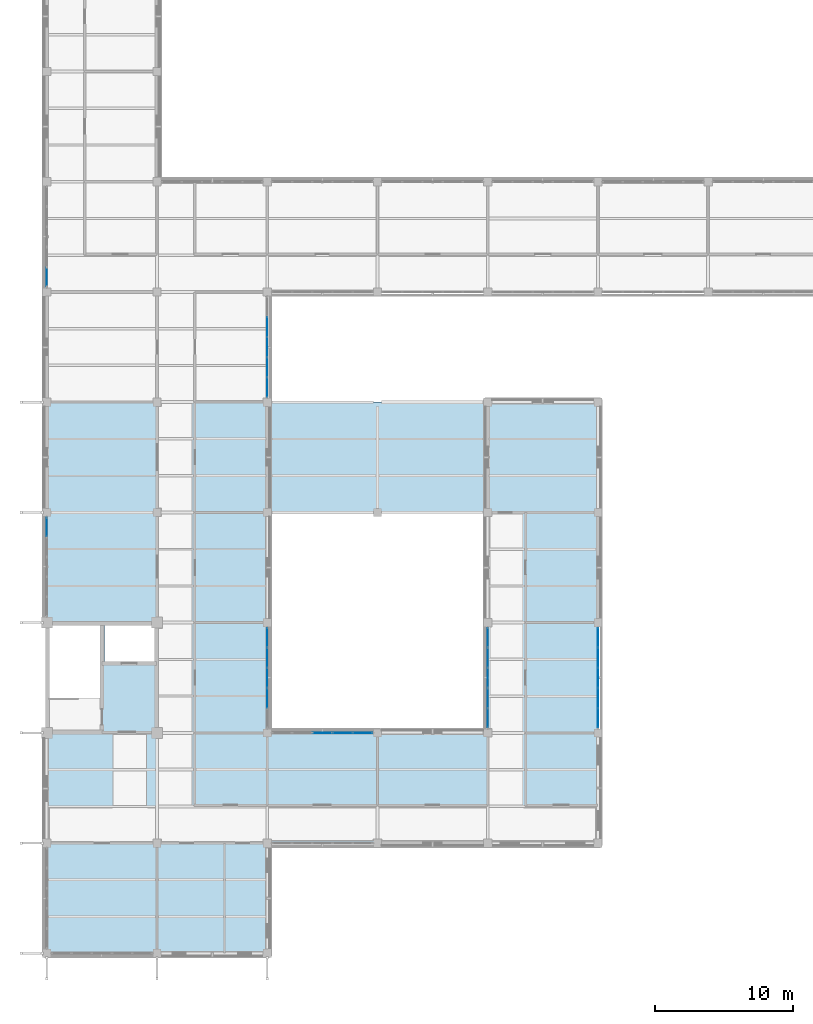
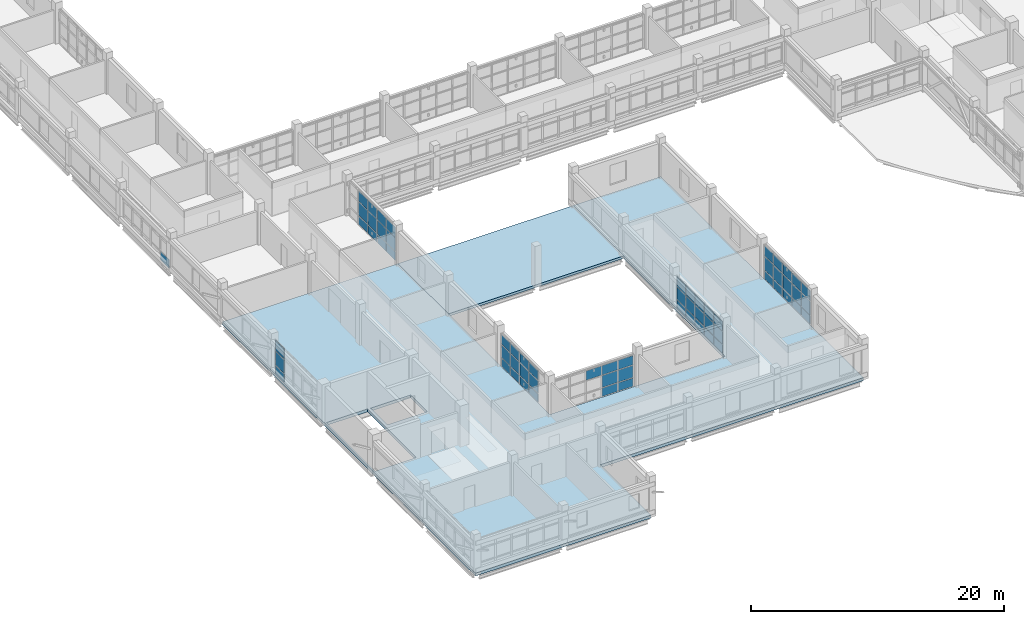
# One storey, part 66 of 126: 65 plates, 2 slabs, 7 elements without a shape of their own.
"""IFC4 building model written with IfcOpenShell, lengths in metres."""

from ifc_helpers import new_model, si_unit, derived_unit, direction, frame, origin, origin_2d, place, context, subcontext, project, spatial, polyline, rectangle, outline, extrude, material, layer, layer_set, type_object, element, aggregate, save


model = new_model("IFC4")

# Units and contexts
model_context = context("Model", 3, precision=1e-05, world=origin(), true_north=direction((0.0, 1.0)))
body_context = subcontext(model_context, "Body", "Model", "MODEL_VIEW")
ifc_project = project(units=[si_unit("LENGTHUNIT", "METRE"), si_unit("AREAUNIT", "SQUARE_METRE"), si_unit("VOLUMEUNIT", "CUBIC_METRE"), si_unit("PLANEANGLEUNIT", "RADIAN"), si_unit("MASSUNIT", "GRAM", prefix="KILO"), derived_unit("THERMALTRANSMITTANCEUNIT", [(si_unit("MASSUNIT", "GRAM", prefix="KILO"), 1), (si_unit("TIMEUNIT", "SECOND"), -3), (si_unit("THERMODYNAMICTEMPERATUREUNIT", "KELVIN"), -1)])], contexts=[model_context])

# Site, building, storey
site_placement = place(None, origin())
site = spatial("IfcSite", under=ifc_project, at=site_placement, CompositionType="ELEMENT")
building_placement = place(site_placement, origin())
building = spatial("IfcBuilding", under=site, at=building_placement, Name="Veyamyaing Civic Hall", CompositionType="ELEMENT")
storey_placement = place(building_placement, frame((0.0, 0.0, 9.89990234375)))
storey = spatial("IfcBuildingStorey", under=building, at=storey_placement, Name="L02", CompositionType="ELEMENT", Elevation=9.89990234375)

# Curtain wall, plates
ifc_material_1 = material(Name="Anodised aluminium 6063-T6", Category="aluminium")
ifc_layer_1 = layer(ifc_material_1, 0.159912109375, Name="Anodised aluminium 6063-T6")
ifc_layer_set_1 = layer_set([ifc_layer_1], Name="Anodised aluminium 6063-T6")
curtain_wall_type_1 = type_object("IfcCurtainWallType", Name="CW-03", PredefinedType="NOTDEFINED", material=ifc_layer_set_1)
curtain_wall_1_placement = place(storey_placement, origin())
curtain_wall_1 = element("IfcCurtainWall", 1, at=curtain_wall_1_placement, inside=storey, type_object=curtain_wall_type_1, Name="Unitized curtain wall CW-03 L02 W 1.4", PredefinedType="NOTDEFINED")
ifc_material_2 = material(Name="Low-E insulated glass", Category="glass")
ifc_layer_2 = layer(ifc_material_2, 0.028076171875, Name="Low-E insulated glass")
ifc_layer_set_2 = layer_set([ifc_layer_2], Name="Low-E insulated glass")
plate_type_1 = type_object("IfcPlateType", Name="CWP-01", PredefinedType="CURTAIN_PANEL", material=ifc_layer_set_2)
plate_1_placement = place(storey_placement, frame((0.0, 30.9296875, 0.06494140625), z_axis=(0.0, 0.0, 1.0), x_axis=(0.0, 1.0, 0.0)))
plate_1 = element("IfcPlate", 2, at=plate_1_placement, type_object=plate_type_1, Name="CW-03 panel 5.1", PredefinedType="CURTAIN_PANEL", context=body_context, shape_type="SweptSolid", body=[
    extrude(rectangle(XDim=1.3505859375, YDim=0.028076171875, at=origin_2d()), origin(), (0.0, 0.0, 1.0), 0.802490234375),
])
plate_2_placement = place(storey_placement, frame((0.0, 30.9296875, 0.9326171875), z_axis=(0.0, 0.0, 1.0), x_axis=(0.0, 1.0, 0.0)))
plate_2 = element("IfcPlate", 3, at=plate_2_placement, type_object=plate_type_1, Name="CW-03 panel 5.2", PredefinedType="CURTAIN_PANEL", context=body_context, shape_type="SweptSolid", body=[
    extrude(rectangle(XDim=1.3505859375, YDim=0.028076171875, at=origin_2d()), origin(), (0.0, 0.0, 1.0), 1.319091796875),
])
plate_3_placement = place(storey_placement, frame((0.0, 30.9296875, 2.31689453125), z_axis=(0.0, 0.0, 1.0), x_axis=(0.0, 1.0, 0.0)))
plate_3 = element("IfcPlate", 4, at=plate_3_placement, type_object=plate_type_1, Name="CW-03 panel 5.3", PredefinedType="CURTAIN_PANEL", context=body_context, shape_type="SweptSolid", body=[
    extrude(rectangle(XDim=1.3505859375, YDim=0.028076171875, at=origin_2d()), origin(), (0.0, 0.0, 1.0), 0.977294921875),
])
aggregate(curtain_wall_1, [plate_1, plate_2, plate_3])

curtain_wall_2_placement = place(storey_placement, origin())
curtain_wall_2 = element("IfcCurtainWall", 5, at=curtain_wall_2_placement, inside=storey, type_object=curtain_wall_type_1, Name="Unitized curtain wall CW-03 L02 E 2.3", PredefinedType="NOTDEFINED")
plate_4_placement = place(storey_placement, frame((16.0, 18.531982421875, 0.06494140625), z_axis=(0.0, 0.0, 1.0), x_axis=(0.0, 1.0, 0.0)))
plate_4 = element("IfcPlate", 6, at=plate_4_placement, type_object=plate_type_1, Name="CW-03 panel 2.1", PredefinedType="CURTAIN_PANEL", context=body_context, shape_type="SweptSolid", body=[
    extrude(rectangle(XDim=1.403076171875, YDim=0.028076171875, at=origin_2d()), origin(), (0.0, 0.0, 1.0), 0.802490234375),
])
plate_5_placement = place(storey_placement, frame((16.0, 18.531982421875, 0.9326171875), z_axis=(0.0, 0.0, 1.0), x_axis=(0.0, 1.0, 0.0)))
plate_5 = element("IfcPlate", 7, at=plate_5_placement, type_object=plate_type_1, Name="CW-03 panel 2.2", PredefinedType="CURTAIN_PANEL", context=body_context, shape_type="SweptSolid", body=[
    extrude(rectangle(XDim=1.403076171875, YDim=0.028076171875, at=origin_2d()), origin(), (0.0, 0.0, 1.0), 1.19677734375),
])
plate_6_placement = place(storey_placement, frame((16.0, 18.531982421875, 2.1943359375), z_axis=(0.0, 0.0, 1.0), x_axis=(0.0, 1.0, 0.0)))
plate_6 = element("IfcPlate", 8, at=plate_6_placement, type_object=plate_type_1, Name="CW-03 panel 2.3", PredefinedType="CURTAIN_PANEL", context=body_context, shape_type="SweptSolid", body=[
    extrude(rectangle(XDim=1.403076171875, YDim=0.028076171875, at=origin_2d()), origin(), (0.0, 0.0, 1.0), 0.919921875),
])
plate_7_placement = place(storey_placement, frame((16.0, 20.0, 0.06494140625), z_axis=(0.0, 0.0, 1.0), x_axis=(0.0, 1.0, 0.0)))
plate_7 = element("IfcPlate", 9, at=plate_7_placement, type_object=plate_type_1, Name="CW-03 panel 3.1", PredefinedType="CURTAIN_PANEL", context=body_context, shape_type="SweptSolid", body=[
    extrude(rectangle(XDim=1.403076171875, YDim=0.028076171875, at=origin_2d()), origin(), (0.0, 0.0, 1.0), 0.802490234375),
])
plate_8_placement = place(storey_placement, frame((16.0, 20.0, 0.9326171875), z_axis=(0.0, 0.0, 1.0), x_axis=(0.0, 1.0, 0.0)))
plate_8 = element("IfcPlate", 10, at=plate_8_placement, type_object=plate_type_1, Name="CW-03 panel 3.2", PredefinedType="CURTAIN_PANEL", context=body_context, shape_type="SweptSolid", body=[
    extrude(rectangle(XDim=1.403076171875, YDim=0.028076171875, at=origin_2d()), origin(), (0.0, 0.0, 1.0), 1.19677734375),
])
plate_9_placement = place(storey_placement, frame((16.0, 20.0, 2.1943359375), z_axis=(0.0, 0.0, 1.0), x_axis=(0.0, 1.0, 0.0)))
plate_9 = element("IfcPlate", 11, at=plate_9_placement, type_object=plate_type_1, Name="CW-03 panel 3.3", PredefinedType="CURTAIN_PANEL", context=body_context, shape_type="SweptSolid", body=[
    extrude(rectangle(XDim=1.403076171875, YDim=0.028076171875, at=origin_2d()), origin(), (0.0, 0.0, 1.0), 0.919921875),
])
plate_10_placement = place(storey_placement, frame((16.0, 21.468017578125, 0.06494140625), z_axis=(0.0, 0.0, 1.0), x_axis=(0.0, 1.0, 0.0)))
plate_10 = element("IfcPlate", 12, at=plate_10_placement, type_object=plate_type_1, Name="CW-03 panel 4.1", PredefinedType="CURTAIN_PANEL", context=body_context, shape_type="SweptSolid", body=[
    extrude(rectangle(XDim=1.403076171875, YDim=0.028076171875, at=origin_2d()), origin(), (0.0, 0.0, 1.0), 0.802490234375),
])
plate_11_placement = place(storey_placement, frame((16.0, 21.468017578125, 0.9326171875), z_axis=(0.0, 0.0, 1.0), x_axis=(0.0, 1.0, 0.0)))
plate_11 = element("IfcPlate", 13, at=plate_11_placement, type_object=plate_type_1, Name="CW-03 panel 4.2", PredefinedType="CURTAIN_PANEL", context=body_context, shape_type="SweptSolid", body=[
    extrude(rectangle(XDim=1.403076171875, YDim=0.028076171875, at=origin_2d()), origin(), (0.0, 0.0, 1.0), 1.19677734375),
])
plate_12_placement = place(storey_placement, frame((16.0, 21.468017578125, 2.1943359375), z_axis=(0.0, 0.0, 1.0), x_axis=(0.0, 1.0, 0.0)))
plate_12 = element("IfcPlate", 14, at=plate_12_placement, type_object=plate_type_1, Name="CW-03 panel 4.3", PredefinedType="CURTAIN_PANEL", context=body_context, shape_type="SweptSolid", body=[
    extrude(rectangle(XDim=1.403076171875, YDim=0.028076171875, at=origin_2d()), origin(), (0.0, 0.0, 1.0), 0.919921875),
])
plate_13_placement = place(storey_placement, frame((16.0, 22.919677734375, 0.06494140625), z_axis=(0.0, 0.0, 1.0), x_axis=(0.0, 1.0, 0.0)))
plate_13 = element("IfcPlate", 15, at=plate_13_placement, type_object=plate_type_1, Name="CW-03 panel 5.1", PredefinedType="CURTAIN_PANEL", context=body_context, shape_type="SweptSolid", body=[
    extrude(rectangle(XDim=1.37060546875, YDim=0.028076171875, at=origin_2d()), origin(), (0.0, 0.0, 1.0), 0.802490234375),
])
plate_14_placement = place(storey_placement, frame((16.0, 22.919677734375, 0.9326171875), z_axis=(0.0, 0.0, 1.0), x_axis=(0.0, 1.0, 0.0)))
plate_14 = element("IfcPlate", 16, at=plate_14_placement, type_object=plate_type_1, Name="CW-03 panel 5.2", PredefinedType="CURTAIN_PANEL", context=body_context, shape_type="SweptSolid", body=[
    extrude(rectangle(XDim=1.37060546875, YDim=0.028076171875, at=origin_2d()), origin(), (0.0, 0.0, 1.0), 1.19677734375),
])
plate_15_placement = place(storey_placement, frame((16.0, 22.919677734375, 2.1943359375), z_axis=(0.0, 0.0, 1.0), x_axis=(0.0, 1.0, 0.0)))
plate_15 = element("IfcPlate", 17, at=plate_15_placement, type_object=plate_type_1, Name="CW-03 panel 5.3", PredefinedType="CURTAIN_PANEL", context=body_context, shape_type="SweptSolid", body=[
    extrude(rectangle(XDim=1.37060546875, YDim=0.028076171875, at=origin_2d()), origin(), (0.0, 0.0, 1.0), 0.919921875),
])
aggregate(curtain_wall_2, [plate_4, plate_5, plate_6, plate_7, plate_8, plate_9, plate_10, plate_11, plate_12, plate_13, plate_14, plate_15])

curtain_wall_3_placement = place(storey_placement, origin())
curtain_wall_3 = element("IfcCurtainWall", 18, at=curtain_wall_3_placement, inside=storey, type_object=curtain_wall_type_1, Name="Unitized curtain wall CW-03 L02 N 3.2", PredefinedType="NOTDEFINED")
plate_16_placement = place(storey_placement, frame((20.0, 16.0, 2.1435546875), z_axis=(0.0, 0.0, 1.0), x_axis=(1.0, 0.0, 0.0)))
plate_16 = element("IfcPlate", 19, at=plate_16_placement, type_object=plate_type_1, Name="CW-03 panel 3.3", PredefinedType="CURTAIN_PANEL", context=body_context, shape_type="SweptSolid", body=[
    extrude(rectangle(XDim=1.403076171875, YDim=0.028076171875, at=origin_2d()), origin(), (0.0, 0.0, 1.0), 0.895751953125),
])
plate_17_placement = place(storey_placement, frame((21.468017578125, 16.0, 0.06494140625), z_axis=(0.0, 0.0, 1.0), x_axis=(1.0, 0.0, 0.0)))
plate_17 = element("IfcPlate", 20, at=plate_17_placement, type_object=plate_type_1, Name="CW-03 panel 4.1", PredefinedType="CURTAIN_PANEL", context=body_context, shape_type="SweptSolid", body=[
    extrude(rectangle(XDim=1.403076171875, YDim=0.028076171875, at=origin_2d()), origin(), (0.0, 0.0, 1.0), 0.802490234375),
])
plate_18_placement = place(storey_placement, frame((21.468017578125, 16.0, 0.9326171875), z_axis=(0.0, 0.0, 1.0), x_axis=(1.0, 0.0, 0.0)))
plate_18 = element("IfcPlate", 21, at=plate_18_placement, type_object=plate_type_1, Name="CW-03 panel 4.2", PredefinedType="CURTAIN_PANEL", context=body_context, shape_type="SweptSolid", body=[
    extrude(rectangle(XDim=1.403076171875, YDim=0.028076171875, at=origin_2d()), origin(), (0.0, 0.0, 1.0), 1.145751953125),
])
plate_19_placement = place(storey_placement, frame((21.468017578125, 16.0, 2.1435546875), z_axis=(0.0, 0.0, 1.0), x_axis=(1.0, 0.0, 0.0)))
plate_19 = element("IfcPlate", 22, at=plate_19_placement, type_object=plate_type_1, Name="CW-03 panel 4.3", PredefinedType="CURTAIN_PANEL", context=body_context, shape_type="SweptSolid", body=[
    extrude(rectangle(XDim=1.403076171875, YDim=0.028076171875, at=origin_2d()), origin(), (0.0, 0.0, 1.0), 0.895751953125),
])
plate_20_placement = place(storey_placement, frame((22.919677734375, 16.0, 0.06494140625), z_axis=(0.0, 0.0, 1.0), x_axis=(1.0, 0.0, 0.0)))
plate_20 = element("IfcPlate", 23, at=plate_20_placement, type_object=plate_type_1, Name="CW-03 panel 5.1", PredefinedType="CURTAIN_PANEL", context=body_context, shape_type="SweptSolid", body=[
    extrude(rectangle(XDim=1.37060546875, YDim=0.028076171875, at=origin_2d()), origin(), (0.0, 0.0, 1.0), 0.802490234375),
])
plate_21_placement = place(storey_placement, frame((22.919677734375, 16.0, 0.9326171875), z_axis=(0.0, 0.0, 1.0), x_axis=(1.0, 0.0, 0.0)))
plate_21 = element("IfcPlate", 24, at=plate_21_placement, type_object=plate_type_1, Name="CW-03 panel 5.2", PredefinedType="CURTAIN_PANEL", context=body_context, shape_type="SweptSolid", body=[
    extrude(rectangle(XDim=1.37060546875, YDim=0.028076171875, at=origin_2d()), origin(), (0.0, 0.0, 1.0), 1.145751953125),
])
plate_22_placement = place(storey_placement, frame((22.919677734375, 16.0, 2.1435546875), z_axis=(0.0, 0.0, 1.0), x_axis=(1.0, 0.0, 0.0)))
plate_22 = element("IfcPlate", 25, at=plate_22_placement, type_object=plate_type_1, Name="CW-03 panel 5.3", PredefinedType="CURTAIN_PANEL", context=body_context, shape_type="SweptSolid", body=[
    extrude(rectangle(XDim=1.37060546875, YDim=0.028076171875, at=origin_2d()), origin(), (0.0, 0.0, 1.0), 0.895751953125),
])
aggregate(curtain_wall_3, [plate_16, plate_17, plate_18, plate_19, plate_20, plate_21, plate_22])

# Curtain wall, plate
curtain_wall_4_placement = place(storey_placement, origin())
curtain_wall_4 = element("IfcCurtainWall", 26, at=curtain_wall_4_placement, inside=storey, type_object=curtain_wall_type_1, Name="Unitized curtain wall CW-03 L02 W 1.7", PredefinedType="NOTDEFINED")
ifc_layer_3 = layer(ifc_material_2, 0.02392578125, Name="Low-E insulated glass")
ifc_layer_set_3 = layer_set([ifc_layer_3], Name="Low-E insulated glass")
plate_type_2 = type_object("IfcPlateType", Name="CWP-04", PredefinedType="CURTAIN_PANEL", material=ifc_layer_set_3)
plate_23_placement = place(storey_placement, frame((0.0, 49.080322265625, 0.06494140625), z_axis=(0.0, 0.0, 1.0), x_axis=(0.0, 1.0, 0.0)))
plate_23 = element("IfcPlate", 27, at=plate_23_placement, type_object=plate_type_2, Name="CW-03 panel 1.1", PredefinedType="CURTAIN_PANEL", context=body_context, shape_type="SweptSolid", body=[
    extrude(rectangle(XDim=1.37060546875, YDim=0.02392578125, at=origin_2d()), origin(), (0.0, 0.0, 1.0), 0.802490234375),
])
aggregate(curtain_wall_4, [plate_23])

# Curtain wall, plates
ifc_layer_4 = layer(ifc_material_1, 0.139892578125, Name="Anodised aluminium 6063-T6")
ifc_layer_set_4 = layer_set([ifc_layer_4], Name="Anodised aluminium 6063-T6")
curtain_wall_type_2 = type_object("IfcCurtainWallType", Name="CW-04", PredefinedType="NOTDEFINED", material=ifc_layer_set_4)
curtain_wall_5_placement = place(storey_placement, origin())
curtain_wall_5 = element("IfcCurtainWall", 28, at=curtain_wall_5_placement, inside=storey, type_object=curtain_wall_type_2, Name="Unitized curtain wall CW-04 L02 E 2.6", PredefinedType="NOTDEFINED")
plate_24_placement = place(storey_placement, frame((16.0, 41.0791015625, 0.06005859375), z_axis=(0.0, 0.0, 1.0), x_axis=(0.0, 1.0, 0.0)))
plate_24 = element("IfcPlate", 29, at=plate_24_placement, type_object=plate_type_2, Name="CW-04 panel 1.1", PredefinedType="CURTAIN_PANEL", context=body_context, shape_type="SweptSolid", body=[
    extrude(rectangle(XDim=1.3779296875, YDim=0.02392578125, at=origin_2d()), origin(), (0.0, 0.0, 1.0), 0.81005859375),
])
plate_25_placement = place(storey_placement, frame((16.0, 41.0791015625, 0.93017578125), z_axis=(0.0, 0.0, 1.0), x_axis=(0.0, 1.0, 0.0)))
plate_25 = element("IfcPlate", 30, at=plate_25_placement, type_object=plate_type_2, Name="CW-04 panel 1.2", PredefinedType="CURTAIN_PANEL", context=body_context, shape_type="SweptSolid", body=[
    extrude(rectangle(XDim=1.3779296875, YDim=0.02392578125, at=origin_2d()), origin(), (0.0, 0.0, 1.0), 1.31396484375),
])
plate_26_placement = place(storey_placement, frame((16.0, 41.0791015625, 2.303955078125), z_axis=(0.0, 0.0, 1.0), x_axis=(0.0, 1.0, 0.0)))
plate_26 = element("IfcPlate", 31, at=plate_26_placement, type_object=plate_type_2, Name="CW-04 panel 1.3", PredefinedType="CURTAIN_PANEL", context=body_context, shape_type="SweptSolid", body=[
    extrude(rectangle(XDim=1.3779296875, YDim=0.02392578125, at=origin_2d()), origin(), (0.0, 0.0, 1.0), 0.97998046875),
])
plate_27_placement = place(storey_placement, frame((16.0, 42.531982421875, 0.06005859375), z_axis=(0.0, 0.0, 1.0), x_axis=(0.0, 1.0, 0.0)))
plate_27 = element("IfcPlate", 32, at=plate_27_placement, type_object=plate_type_2, Name="CW-04 panel 2.1", PredefinedType="CURTAIN_PANEL", context=body_context, shape_type="SweptSolid", body=[
    extrude(rectangle(XDim=1.407958984375, YDim=0.02392578125, at=origin_2d()), origin(), (0.0, 0.0, 1.0), 0.81005859375),
])
plate_28_placement = place(storey_placement, frame((16.0, 42.531982421875, 0.93017578125), z_axis=(0.0, 0.0, 1.0), x_axis=(0.0, 1.0, 0.0)))
plate_28 = element("IfcPlate", 33, at=plate_28_placement, type_object=plate_type_2, Name="CW-04 panel 2.2", PredefinedType="CURTAIN_PANEL", context=body_context, shape_type="SweptSolid", body=[
    extrude(rectangle(XDim=1.407958984375, YDim=0.02392578125, at=origin_2d()), origin(), (0.0, 0.0, 1.0), 1.31396484375),
])
plate_29_placement = place(storey_placement, frame((16.0, 42.531982421875, 2.303955078125), z_axis=(0.0, 0.0, 1.0), x_axis=(0.0, 1.0, 0.0)))
plate_29 = element("IfcPlate", 34, at=plate_29_placement, type_object=plate_type_2, Name="CW-04 panel 2.3", PredefinedType="CURTAIN_PANEL", context=body_context, shape_type="SweptSolid", body=[
    extrude(rectangle(XDim=1.407958984375, YDim=0.02392578125, at=origin_2d()), origin(), (0.0, 0.0, 1.0), 0.97998046875),
])
plate_30_placement = place(storey_placement, frame((16.0, 44.0, 0.06005859375), z_axis=(0.0, 0.0, 1.0), x_axis=(0.0, 1.0, 0.0)))
plate_30 = element("IfcPlate", 35, at=plate_30_placement, type_object=plate_type_2, Name="CW-04 panel 3.1", PredefinedType="CURTAIN_PANEL", context=body_context, shape_type="SweptSolid", body=[
    extrude(rectangle(XDim=1.407958984375, YDim=0.02392578125, at=origin_2d()), origin(), (0.0, 0.0, 1.0), 0.81005859375),
])
plate_31_placement = place(storey_placement, frame((16.0, 44.0, 0.93017578125), z_axis=(0.0, 0.0, 1.0), x_axis=(0.0, 1.0, 0.0)))
plate_31 = element("IfcPlate", 36, at=plate_31_placement, type_object=plate_type_2, Name="CW-04 panel 3.2", PredefinedType="CURTAIN_PANEL", context=body_context, shape_type="SweptSolid", body=[
    extrude(rectangle(XDim=1.407958984375, YDim=0.02392578125, at=origin_2d()), origin(), (0.0, 0.0, 1.0), 1.31396484375),
])
plate_32_placement = place(storey_placement, frame((16.0, 44.0, 2.303955078125), z_axis=(0.0, 0.0, 1.0), x_axis=(0.0, 1.0, 0.0)))
plate_32 = element("IfcPlate", 37, at=plate_32_placement, type_object=plate_type_2, Name="CW-04 panel 3.3", PredefinedType="CURTAIN_PANEL", context=body_context, shape_type="SweptSolid", body=[
    extrude(rectangle(XDim=1.407958984375, YDim=0.02392578125, at=origin_2d()), origin(), (0.0, 0.0, 1.0), 0.97998046875),
])
plate_33_placement = place(storey_placement, frame((16.0, 45.468017578125, 0.06005859375), z_axis=(0.0, 0.0, 1.0), x_axis=(0.0, 1.0, 0.0)))
plate_33 = element("IfcPlate", 38, at=plate_33_placement, type_object=plate_type_2, Name="CW-04 panel 4.1", PredefinedType="CURTAIN_PANEL", context=body_context, shape_type="SweptSolid", body=[
    extrude(rectangle(XDim=1.407958984375, YDim=0.02392578125, at=origin_2d()), origin(), (0.0, 0.0, 1.0), 0.81005859375),
])
plate_34_placement = place(storey_placement, frame((16.0, 45.468017578125, 0.93017578125), z_axis=(0.0, 0.0, 1.0), x_axis=(0.0, 1.0, 0.0)))
plate_34 = element("IfcPlate", 39, at=plate_34_placement, type_object=plate_type_2, Name="CW-04 panel 4.2", PredefinedType="CURTAIN_PANEL", context=body_context, shape_type="SweptSolid", body=[
    extrude(rectangle(XDim=1.407958984375, YDim=0.02392578125, at=origin_2d()), origin(), (0.0, 0.0, 1.0), 1.31396484375),
])
plate_35_placement = place(storey_placement, frame((16.0, 45.468017578125, 2.303955078125), z_axis=(0.0, 0.0, 1.0), x_axis=(0.0, 1.0, 0.0)))
plate_35 = element("IfcPlate", 40, at=plate_35_placement, type_object=plate_type_2, Name="CW-04 panel 4.3", PredefinedType="CURTAIN_PANEL", context=body_context, shape_type="SweptSolid", body=[
    extrude(rectangle(XDim=1.407958984375, YDim=0.02392578125, at=origin_2d()), origin(), (0.0, 0.0, 1.0), 0.97998046875),
])
aggregate(curtain_wall_5, [plate_24, plate_25, plate_26, plate_27, plate_28, plate_29, plate_30, plate_31, plate_32, plate_33, plate_34, plate_35])

curtain_wall_6_placement = place(storey_placement, origin())
curtain_wall_6 = element("IfcCurtainWall", 41, at=curtain_wall_6_placement, inside=storey, type_object=curtain_wall_type_1, Name="Unitized curtain wall CW-03 L02 W 5.3", PredefinedType="NOTDEFINED")
plate_36_placement = place(storey_placement, frame((32.0, 17.080322265625, 0.06494140625), z_axis=(0.0, 0.0, 1.0), x_axis=(0.0, 1.0, 0.0)))
plate_36 = element("IfcPlate", 42, at=plate_36_placement, type_object=plate_type_2, Name="CW-03 panel 1.1", PredefinedType="CURTAIN_PANEL", context=body_context, shape_type="SweptSolid", body=[
    extrude(rectangle(XDim=1.37060546875, YDim=0.02392578125, at=origin_2d()), origin(), (0.0, 0.0, 1.0), 0.802490234375),
])
plate_37_placement = place(storey_placement, frame((32.0, 17.080322265625, 0.9326171875), z_axis=(0.0, 0.0, 1.0), x_axis=(0.0, 1.0, 0.0)))
plate_37 = element("IfcPlate", 43, at=plate_37_placement, type_object=plate_type_2, Name="CW-03 panel 1.2", PredefinedType="CURTAIN_PANEL", context=body_context, shape_type="SweptSolid", body=[
    extrude(rectangle(XDim=1.37060546875, YDim=0.02392578125, at=origin_2d()), origin(), (0.0, 0.0, 1.0), 1.192626953125),
])
plate_38_placement = place(storey_placement, frame((32.0, 17.080322265625, 2.190185546875), z_axis=(0.0, 0.0, 1.0), x_axis=(0.0, 1.0, 0.0)))
plate_38 = element("IfcPlate", 44, at=plate_38_placement, type_object=plate_type_2, Name="CW-03 panel 1.3", PredefinedType="CURTAIN_PANEL", context=body_context, shape_type="SweptSolid", body=[
    extrude(rectangle(XDim=1.37060546875, YDim=0.02392578125, at=origin_2d()), origin(), (0.0, 0.0, 1.0), 0.91796875),
])
plate_39_placement = place(storey_placement, frame((32.0, 18.531982421875, 0.06494140625), z_axis=(0.0, 0.0, 1.0), x_axis=(0.0, 1.0, 0.0)))
plate_39 = element("IfcPlate", 45, at=plate_39_placement, type_object=plate_type_2, Name="CW-03 panel 2.1", PredefinedType="CURTAIN_PANEL", context=body_context, shape_type="SweptSolid", body=[
    extrude(rectangle(XDim=1.403076171875, YDim=0.02392578125, at=origin_2d()), origin(), (0.0, 0.0, 1.0), 0.802490234375),
])
plate_40_placement = place(storey_placement, frame((32.0, 18.531982421875, 0.9326171875), z_axis=(0.0, 0.0, 1.0), x_axis=(0.0, 1.0, 0.0)))
plate_40 = element("IfcPlate", 46, at=plate_40_placement, type_object=plate_type_2, Name="CW-03 panel 2.2", PredefinedType="CURTAIN_PANEL", context=body_context, shape_type="SweptSolid", body=[
    extrude(rectangle(XDim=1.403076171875, YDim=0.02392578125, at=origin_2d()), origin(), (0.0, 0.0, 1.0), 1.192626953125),
])
plate_41_placement = place(storey_placement, frame((32.0, 18.531982421875, 2.190185546875), z_axis=(0.0, 0.0, 1.0), x_axis=(0.0, 1.0, 0.0)))
plate_41 = element("IfcPlate", 47, at=plate_41_placement, type_object=plate_type_2, Name="CW-03 panel 2.3", PredefinedType="CURTAIN_PANEL", context=body_context, shape_type="SweptSolid", body=[
    extrude(rectangle(XDim=1.403076171875, YDim=0.02392578125, at=origin_2d()), origin(), (0.0, 0.0, 1.0), 0.91796875),
])
plate_42_placement = place(storey_placement, frame((32.0, 20.0, 0.06494140625), z_axis=(0.0, 0.0, 1.0), x_axis=(0.0, 1.0, 0.0)))
plate_42 = element("IfcPlate", 48, at=plate_42_placement, type_object=plate_type_2, Name="CW-03 panel 3.1", PredefinedType="CURTAIN_PANEL", context=body_context, shape_type="SweptSolid", body=[
    extrude(rectangle(XDim=1.403076171875, YDim=0.02392578125, at=origin_2d()), origin(), (0.0, 0.0, 1.0), 0.802490234375),
])
plate_43_placement = place(storey_placement, frame((32.0, 20.0, 0.9326171875), z_axis=(0.0, 0.0, 1.0), x_axis=(0.0, 1.0, 0.0)))
plate_43 = element("IfcPlate", 49, at=plate_43_placement, type_object=plate_type_2, Name="CW-03 panel 3.2", PredefinedType="CURTAIN_PANEL", context=body_context, shape_type="SweptSolid", body=[
    extrude(rectangle(XDim=1.403076171875, YDim=0.02392578125, at=origin_2d()), origin(), (0.0, 0.0, 1.0), 1.192626953125),
])
plate_44_placement = place(storey_placement, frame((32.0, 20.0, 2.190185546875), z_axis=(0.0, 0.0, 1.0), x_axis=(0.0, 1.0, 0.0)))
plate_44 = element("IfcPlate", 50, at=plate_44_placement, type_object=plate_type_2, Name="CW-03 panel 3.3", PredefinedType="CURTAIN_PANEL", context=body_context, shape_type="SweptSolid", body=[
    extrude(rectangle(XDim=1.403076171875, YDim=0.02392578125, at=origin_2d()), origin(), (0.0, 0.0, 1.0), 0.91796875),
])
plate_45_placement = place(storey_placement, frame((32.0, 21.468017578125, 0.06494140625), z_axis=(0.0, 0.0, 1.0), x_axis=(0.0, 1.0, 0.0)))
plate_45 = element("IfcPlate", 51, at=plate_45_placement, type_object=plate_type_2, Name="CW-03 panel 4.1", PredefinedType="CURTAIN_PANEL", context=body_context, shape_type="SweptSolid", body=[
    extrude(rectangle(XDim=1.403076171875, YDim=0.02392578125, at=origin_2d()), origin(), (0.0, 0.0, 1.0), 0.802490234375),
])
plate_46_placement = place(storey_placement, frame((32.0, 21.468017578125, 0.9326171875), z_axis=(0.0, 0.0, 1.0), x_axis=(0.0, 1.0, 0.0)))
plate_46 = element("IfcPlate", 52, at=plate_46_placement, type_object=plate_type_2, Name="CW-03 panel 4.2", PredefinedType="CURTAIN_PANEL", context=body_context, shape_type="SweptSolid", body=[
    extrude(rectangle(XDim=1.403076171875, YDim=0.02392578125, at=origin_2d()), origin(), (0.0, 0.0, 1.0), 1.192626953125),
])
plate_47_placement = place(storey_placement, frame((32.0, 21.468017578125, 2.190185546875), z_axis=(0.0, 0.0, 1.0), x_axis=(0.0, 1.0, 0.0)))
plate_47 = element("IfcPlate", 53, at=plate_47_placement, type_object=plate_type_2, Name="CW-03 panel 4.3", PredefinedType="CURTAIN_PANEL", context=body_context, shape_type="SweptSolid", body=[
    extrude(rectangle(XDim=1.403076171875, YDim=0.02392578125, at=origin_2d()), origin(), (0.0, 0.0, 1.0), 0.91796875),
])
plate_48_placement = place(storey_placement, frame((32.0, 22.919677734375, 0.06494140625), z_axis=(0.0, 0.0, 1.0), x_axis=(0.0, 1.0, 0.0)))
plate_48 = element("IfcPlate", 54, at=plate_48_placement, type_object=plate_type_2, Name="CW-03 panel 5.1", PredefinedType="CURTAIN_PANEL", context=body_context, shape_type="SweptSolid", body=[
    extrude(rectangle(XDim=1.37060546875, YDim=0.02392578125, at=origin_2d()), origin(), (0.0, 0.0, 1.0), 0.802490234375),
])
plate_49_placement = place(storey_placement, frame((32.0, 22.919677734375, 0.9326171875), z_axis=(0.0, 0.0, 1.0), x_axis=(0.0, 1.0, 0.0)))
plate_49 = element("IfcPlate", 55, at=plate_49_placement, type_object=plate_type_2, Name="CW-03 panel 5.2", PredefinedType="CURTAIN_PANEL", context=body_context, shape_type="SweptSolid", body=[
    extrude(rectangle(XDim=1.37060546875, YDim=0.02392578125, at=origin_2d()), origin(), (0.0, 0.0, 1.0), 1.192626953125),
])
plate_50_placement = place(storey_placement, frame((32.0, 22.919677734375, 2.190185546875), z_axis=(0.0, 0.0, 1.0), x_axis=(0.0, 1.0, 0.0)))
plate_50 = element("IfcPlate", 56, at=plate_50_placement, type_object=plate_type_2, Name="CW-03 panel 5.3", PredefinedType="CURTAIN_PANEL", context=body_context, shape_type="SweptSolid", body=[
    extrude(rectangle(XDim=1.37060546875, YDim=0.02392578125, at=origin_2d()), origin(), (0.0, 0.0, 1.0), 0.91796875),
])
aggregate(curtain_wall_6, [plate_36, plate_37, plate_38, plate_39, plate_40, plate_41, plate_42, plate_43, plate_44, plate_45, plate_46, plate_47, plate_48, plate_49, plate_50])

curtain_wall_7_placement = place(storey_placement, origin())
curtain_wall_7 = element("IfcCurtainWall", 57, at=curtain_wall_7_placement, inside=storey, type_object=curtain_wall_type_1, Name="Unitized curtain wall CW-03 L02 E 5.3", PredefinedType="NOTDEFINED")
plate_51_placement = place(storey_placement, frame((40.0, 17.080322265625, 0.06494140625), z_axis=(0.0, 0.0, 1.0), x_axis=(0.0, 1.0, 0.0)))
plate_51 = element("IfcPlate", 58, at=plate_51_placement, type_object=plate_type_2, Name="CW-03 panel 1.1", PredefinedType="CURTAIN_PANEL", context=body_context, shape_type="SweptSolid", body=[
    extrude(rectangle(XDim=1.37060546875, YDim=0.02392578125, at=origin_2d()), origin(), (0.0, 0.0, 1.0), 0.802490234375),
])
plate_52_placement = place(storey_placement, frame((40.0, 17.080322265625, 0.9326171875), z_axis=(0.0, 0.0, 1.0), x_axis=(0.0, 1.0, 0.0)))
plate_52 = element("IfcPlate", 59, at=plate_52_placement, type_object=plate_type_2, Name="CW-03 panel 1.2", PredefinedType="CURTAIN_PANEL", context=body_context, shape_type="SweptSolid", body=[
    extrude(rectangle(XDim=1.37060546875, YDim=0.02392578125, at=origin_2d()), origin(), (0.0, 0.0, 1.0), 1.319091796875),
])
plate_53_placement = place(storey_placement, frame((40.0, 17.080322265625, 2.31689453125), z_axis=(0.0, 0.0, 1.0), x_axis=(0.0, 1.0, 0.0)))
plate_53 = element("IfcPlate", 60, at=plate_53_placement, type_object=plate_type_2, Name="CW-03 panel 1.3", PredefinedType="CURTAIN_PANEL", context=body_context, shape_type="SweptSolid", body=[
    extrude(rectangle(XDim=1.37060546875, YDim=0.02392578125, at=origin_2d()), origin(), (0.0, 0.0, 1.0), 0.977294921875),
])
plate_54_placement = place(storey_placement, frame((40.0, 18.531982421875, 0.06494140625), z_axis=(0.0, 0.0, 1.0), x_axis=(0.0, 1.0, 0.0)))
plate_54 = element("IfcPlate", 61, at=plate_54_placement, type_object=plate_type_2, Name="CW-03 panel 2.1", PredefinedType="CURTAIN_PANEL", context=body_context, shape_type="SweptSolid", body=[
    extrude(rectangle(XDim=1.403076171875, YDim=0.02392578125, at=origin_2d()), origin(), (0.0, 0.0, 1.0), 0.802490234375),
])
plate_55_placement = place(storey_placement, frame((40.0, 18.531982421875, 0.9326171875), z_axis=(0.0, 0.0, 1.0), x_axis=(0.0, 1.0, 0.0)))
plate_55 = element("IfcPlate", 62, at=plate_55_placement, type_object=plate_type_2, Name="CW-03 panel 2.2", PredefinedType="CURTAIN_PANEL", context=body_context, shape_type="SweptSolid", body=[
    extrude(rectangle(XDim=1.403076171875, YDim=0.02392578125, at=origin_2d()), origin(), (0.0, 0.0, 1.0), 1.319091796875),
])
plate_56_placement = place(storey_placement, frame((40.0, 18.531982421875, 2.31689453125), z_axis=(0.0, 0.0, 1.0), x_axis=(0.0, 1.0, 0.0)))
plate_56 = element("IfcPlate", 63, at=plate_56_placement, type_object=plate_type_2, Name="CW-03 panel 2.3", PredefinedType="CURTAIN_PANEL", context=body_context, shape_type="SweptSolid", body=[
    extrude(rectangle(XDim=1.403076171875, YDim=0.02392578125, at=origin_2d()), origin(), (0.0, 0.0, 1.0), 0.977294921875),
])
plate_57_placement = place(storey_placement, frame((40.0, 20.0, 0.06494140625), z_axis=(0.0, 0.0, 1.0), x_axis=(0.0, 1.0, 0.0)))
plate_57 = element("IfcPlate", 64, at=plate_57_placement, type_object=plate_type_2, Name="CW-03 panel 3.1", PredefinedType="CURTAIN_PANEL", context=body_context, shape_type="SweptSolid", body=[
    extrude(rectangle(XDim=1.403076171875, YDim=0.02392578125, at=origin_2d()), origin(), (0.0, 0.0, 1.0), 0.802490234375),
])
plate_58_placement = place(storey_placement, frame((40.0, 20.0, 0.9326171875), z_axis=(0.0, 0.0, 1.0), x_axis=(0.0, 1.0, 0.0)))
plate_58 = element("IfcPlate", 65, at=plate_58_placement, type_object=plate_type_2, Name="CW-03 panel 3.2", PredefinedType="CURTAIN_PANEL", context=body_context, shape_type="SweptSolid", body=[
    extrude(rectangle(XDim=1.403076171875, YDim=0.02392578125, at=origin_2d()), origin(), (0.0, 0.0, 1.0), 1.319091796875),
])
plate_59_placement = place(storey_placement, frame((40.0, 20.0, 2.31689453125), z_axis=(0.0, 0.0, 1.0), x_axis=(0.0, 1.0, 0.0)))
plate_59 = element("IfcPlate", 66, at=plate_59_placement, type_object=plate_type_2, Name="CW-03 panel 3.3", PredefinedType="CURTAIN_PANEL", context=body_context, shape_type="SweptSolid", body=[
    extrude(rectangle(XDim=1.403076171875, YDim=0.02392578125, at=origin_2d()), origin(), (0.0, 0.0, 1.0), 0.977294921875),
])
plate_60_placement = place(storey_placement, frame((40.0, 21.468017578125, 0.06494140625), z_axis=(0.0, 0.0, 1.0), x_axis=(0.0, 1.0, 0.0)))
plate_60 = element("IfcPlate", 67, at=plate_60_placement, type_object=plate_type_2, Name="CW-03 panel 4.1", PredefinedType="CURTAIN_PANEL", context=body_context, shape_type="SweptSolid", body=[
    extrude(rectangle(XDim=1.403076171875, YDim=0.02392578125, at=origin_2d()), origin(), (0.0, 0.0, 1.0), 0.802490234375),
])
plate_61_placement = place(storey_placement, frame((40.0, 21.468017578125, 0.9326171875), z_axis=(0.0, 0.0, 1.0), x_axis=(0.0, 1.0, 0.0)))
plate_61 = element("IfcPlate", 68, at=plate_61_placement, type_object=plate_type_2, Name="CW-03 panel 4.2", PredefinedType="CURTAIN_PANEL", context=body_context, shape_type="SweptSolid", body=[
    extrude(rectangle(XDim=1.403076171875, YDim=0.02392578125, at=origin_2d()), origin(), (0.0, 0.0, 1.0), 1.319091796875),
])
plate_62_placement = place(storey_placement, frame((40.0, 21.468017578125, 2.31689453125), z_axis=(0.0, 0.0, 1.0), x_axis=(0.0, 1.0, 0.0)))
plate_62 = element("IfcPlate", 69, at=plate_62_placement, type_object=plate_type_2, Name="CW-03 panel 4.3", PredefinedType="CURTAIN_PANEL", context=body_context, shape_type="SweptSolid", body=[
    extrude(rectangle(XDim=1.403076171875, YDim=0.02392578125, at=origin_2d()), origin(), (0.0, 0.0, 1.0), 0.977294921875),
])
plate_63_placement = place(storey_placement, frame((40.0, 22.919677734375, 0.06494140625), z_axis=(0.0, 0.0, 1.0), x_axis=(0.0, 1.0, 0.0)))
plate_63 = element("IfcPlate", 70, at=plate_63_placement, type_object=plate_type_2, Name="CW-03 panel 5.1", PredefinedType="CURTAIN_PANEL", context=body_context, shape_type="SweptSolid", body=[
    extrude(rectangle(XDim=1.37060546875, YDim=0.02392578125, at=origin_2d()), origin(), (0.0, 0.0, 1.0), 0.802490234375),
])
plate_64_placement = place(storey_placement, frame((40.0, 22.919677734375, 0.9326171875), z_axis=(0.0, 0.0, 1.0), x_axis=(0.0, 1.0, 0.0)))
plate_64 = element("IfcPlate", 71, at=plate_64_placement, type_object=plate_type_2, Name="CW-03 panel 5.2", PredefinedType="CURTAIN_PANEL", context=body_context, shape_type="SweptSolid", body=[
    extrude(rectangle(XDim=1.37060546875, YDim=0.02392578125, at=origin_2d()), origin(), (0.0, 0.0, 1.0), 1.319091796875),
])
plate_65_placement = place(storey_placement, frame((40.0, 22.919677734375, 2.31689453125), z_axis=(0.0, 0.0, 1.0), x_axis=(0.0, 1.0, 0.0)))
plate_65 = element("IfcPlate", 72, at=plate_65_placement, type_object=plate_type_2, Name="CW-03 panel 5.3", PredefinedType="CURTAIN_PANEL", context=body_context, shape_type="SweptSolid", body=[
    extrude(rectangle(XDim=1.37060546875, YDim=0.02392578125, at=origin_2d()), origin(), (0.0, 0.0, 1.0), 0.977294921875),
])
aggregate(curtain_wall_7, [plate_51, plate_52, plate_53, plate_54, plate_55, plate_56, plate_57, plate_58, plate_59, plate_60, plate_61, plate_62, plate_63, plate_64, plate_65])

# Slabs
ifc_material_3 = material(Name="Concrete C40/50", Category="concrete")
ifc_layer_5 = layer(ifc_material_3, 0.284912109375, Name="Concrete C40/50")
ifc_layer_set_5 = layer_set([ifc_layer_5], Name="Concrete C40/50")
slab_type_1 = type_object("IfcSlabType", Name="SL-04", PredefinedType="FLOOR", material=ifc_layer_set_5)
slab_1_placement = place(storey_placement, frame((0.0, 0.0, -0.284912109375)))
element("IfcSlab", 73, at=slab_1_placement, inside=storey, type_object=slab_type_1, Name="Floor slab SL-04 L02 V2.1", PredefinedType="FLOOR", context=body_context, shape_type="SweptSolid", body=[
    extrude(outline(polyline([(0.0, 0.0), (0.0, 40.0), (16.0, 40.0), (16.0, 16.0), (32.0, 16.0), (32.0, 40.0), (40.0, 40.0), (40.0, 8.0), (16.0, 8.0), (16.0, 0.0), (0.0, 0.0)]), holes=[polyline([(3.909912109375, 23.860107421875), (0.139892578125, 23.860107421875), (0.139892578125, 16.139892578125), (3.909912109375, 16.139892578125), (3.909912109375, 23.860107421875)]), polyline([(7.820068359375, 23.820068359375), (4.179931640625, 23.820068359375), (4.179931640625, 21.179931640625), (7.820068359375, 21.179931640625), (7.820068359375, 23.820068359375)])]), origin(), (0.0, 0.0, 1.0), 0.284912109375),
])
ifc_layer_6 = layer(ifc_material_3, 0.239990234375, Name="Concrete C40/50")
ifc_layer_set_6 = layer_set([ifc_layer_6], Name="Concrete C40/50")
slab_type_2 = type_object("IfcSlabType", Name="SL-15", PredefinedType="ROOF", material=ifc_layer_set_6)
slab_2_placement = place(storey_placement, frame((0.0, 0.0, -0.239990234375)))
element("IfcSlab", 74, at=slab_2_placement, inside=storey, type_object=slab_type_2, Name="Roof slab SL-15 L02 V2.1", PredefinedType="ROOF", context=body_context, shape_type="SweptSolid", body=[
    extrude(outline(polyline([(16.0, 32.0), (16.0, 40.0), (32.0, 40.0), (32.0, 32.0), (16.0, 32.0)])), origin(), (0.0, 0.0, 1.0), 0.239990234375),
])

save(model, "model.ifc")
